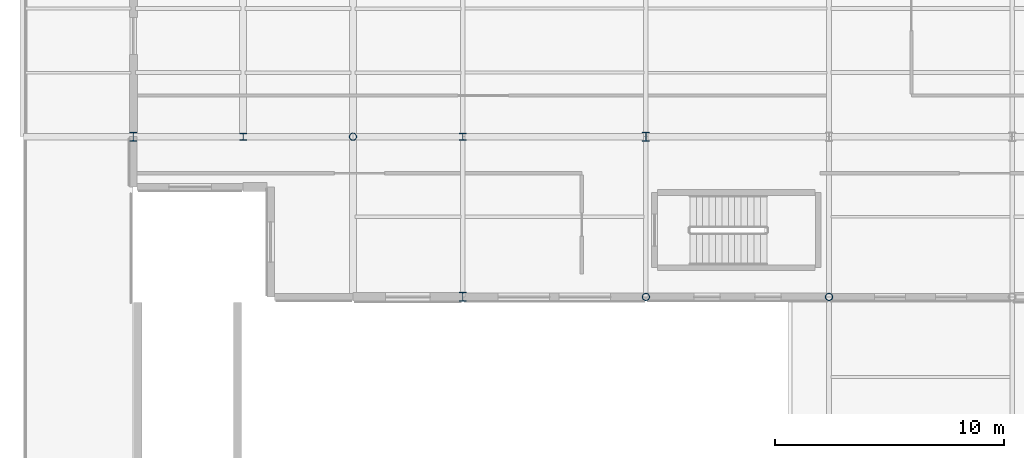
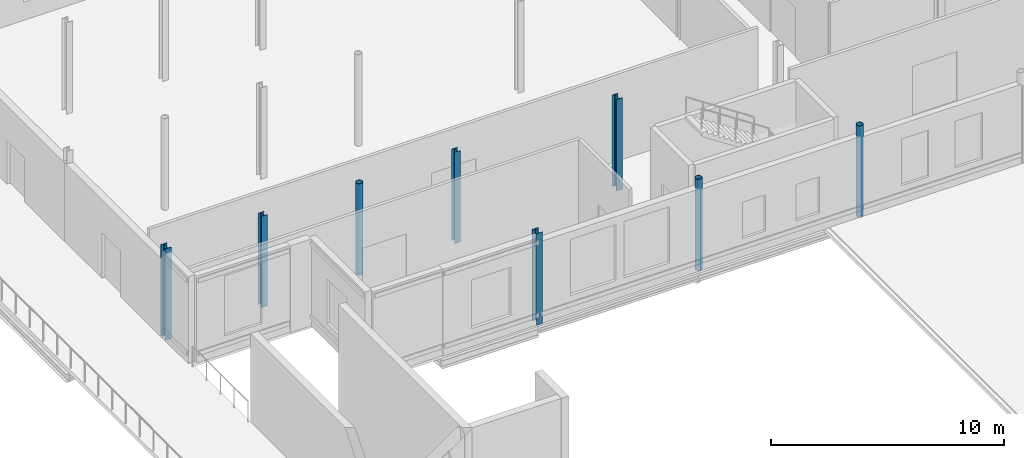
# One storey, part 1 of 120: 8 columns.
"""IFC4 building model written with IfcOpenShell, lengths in metres."""

from ifc_helpers import new_model, si_unit, direction, frame, origin, origin_2d, place, context, subcontext, project, spatial, hollow_circle, i_section, extrude, material, material_profile, profile_set, type_object, element, save


model = new_model("IFC4")

# Units and contexts
model_context = context("Model", 3, precision=1e-05, world=origin(), true_north=direction((0.0, 1.0)))
body_context = subcontext(model_context, "Body", "Model", "MODEL_VIEW")
ifc_project = project(units=[si_unit("LENGTHUNIT", "METRE"), si_unit("AREAUNIT", "SQUARE_METRE"), si_unit("VOLUMEUNIT", "CUBIC_METRE"), si_unit("PLANEANGLEUNIT", "RADIAN"), si_unit("MASSUNIT", "GRAM", prefix="KILO")], contexts=[model_context])

# Site, building, storey
site_placement = place(None, origin())
site = spatial("IfcSite", under=ifc_project, at=site_placement, CompositionType="ELEMENT")
building_placement = place(site_placement, origin())
building = spatial("IfcBuilding", under=site, at=building_placement, Name="Vekula Escarpment Museum", CompositionType="ELEMENT")
storey_placement = place(building_placement, frame((0.0, 0.0, 13.199951171875)))
storey = spatial("IfcBuildingStorey", under=building, at=storey_placement, Name="L03", CompositionType="ELEMENT", Elevation=13.199951171875)

# Columns
ifc_material_1 = material(Name="Steel S355", Category="steel")
ifc_material_profile_1 = material_profile(ifc_material_1, hollow_circle(Radius=0.161865234375, WallThickness=0.01611328125, at=origin_2d()), Name="CHS 323.9x16")
ifc_profile_set_1 = profile_set([ifc_material_profile_1], Name="Steel S355")
column_type_1 = type_object("IfcColumnType", Name="COL-S-CHS323", PredefinedType="COLUMN", material=ifc_profile_set_1)
for number, where, z_axis, x_axis, name in (
    (1, (19.199951171875, 59.60009765625, 0.0), (0.0, 0.0, 1.0), (1.0, 0.0, 0.0), "Column L03 (19.2,59.6)"),
    (2, (32.0, 52.60009765625, 0.0), (0.0, 0.0, 1.0), (1.0, 0.0, 0.0), "Column L03 (32.0,52.6)"),
    (3, (40.0, 52.60009765625, 0.0), (0.0, 0.0, 1.0), (1.0, 0.0, 0.0), "Column L03 (40.0,52.6)"),
):
    element("IfcColumn", number, at=place(storey_placement, frame(where, z_axis=z_axis, x_axis=x_axis)), inside=storey, type_object=column_type_1, Name=name, PredefinedType="COLUMN", context=body_context, shape_type="SweptSolid", body=[
        extrude(hollow_circle(Radius=0.161865234375, WallThickness=0.01611328125, at=origin_2d()), origin(), (0.0, 0.0, 1.0), 4.800048828125),
    ])
ifc_material_2 = material(Name="Steel S355", Category="steel")
ifc_material_profile_2 = material_profile(ifc_material_2, i_section(OverallWidth=0.300048828125, OverallDepth=0.2900390625, WebThickness=0.008544921875, FlangeThickness=0.013916015625, FilletRadius=0.027099609375, at=origin_2d()), Name="HEA 300")
ifc_profile_set_2 = profile_set([ifc_material_profile_2], Name="Steel S355")
column_type_2 = type_object("IfcColumnType", Name="COL-S-HEA300", PredefinedType="COLUMN", material=ifc_profile_set_2)
for number, where, z_axis, x_axis, name in (
    (4, (14.39990234375, 59.60009765625, 0.0), (0.0, 0.0, 1.0), (1.0, 0.0, 0.0), "Column L03 (14.4,59.6)"),
    (5, (24.0, 59.60009765625, 0.0), (0.0, 0.0, 1.0), (1.0, 0.0, 0.0), "Column L03 (24.0,59.6)"),
):
    element("IfcColumn", number, at=place(storey_placement, frame(where, z_axis=z_axis, x_axis=x_axis)), inside=storey, type_object=column_type_2, Name=name, PredefinedType="COLUMN", context=body_context, shape_type="SweptSolid", body=[
        extrude(i_section(OverallWidth=0.300048828125, OverallDepth=0.2900390625, WebThickness=0.008544921875, FlangeThickness=0.013916015625, FilletRadius=0.027099609375, at=origin_2d()), origin(), (0.0, 0.0, 1.0), 4.800048828125),
    ])
ifc_material_3 = material(Name="Steel S355", Category="steel")
ifc_material_profile_3 = material_profile(ifc_material_3, i_section(OverallWidth=0.300048828125, OverallDepth=0.39990234375, WebThickness=0.013427734375, FlangeThickness=0.02392578125, FilletRadius=0.027099609375, at=origin_2d()), Name="HEB 400")
ifc_profile_set_3 = profile_set([ifc_material_profile_3], Name="Steel S355")
column_type_3 = type_object("IfcColumnType", Name="COL-S-HEB400", PredefinedType="COLUMN", material=ifc_profile_set_3)
for number, where, z_axis, x_axis, name in (
    (6, (9.60009765625, 59.60009765625, 0.0), (0.0, 0.0, 1.0), (1.0, 0.0, 0.0), "Column L03 (9.6,59.6)"),
    (7, (24.0, 52.60009765625, 0.0), (0.0, 0.0, 1.0), (1.0, 0.0, 0.0), "Column L03 (24.0,52.6)"),
    (8, (32.0, 59.60009765625, 0.0), (0.0, 0.0, 1.0), (1.0, 0.0, 0.0), "Column L03 (32.0,59.6)"),
):
    element("IfcColumn", number, at=place(storey_placement, frame(where, z_axis=z_axis, x_axis=x_axis)), inside=storey, type_object=column_type_3, Name=name, PredefinedType="COLUMN", context=body_context, shape_type="SweptSolid", body=[
        extrude(i_section(OverallWidth=0.300048828125, OverallDepth=0.39990234375, WebThickness=0.013427734375, FlangeThickness=0.02392578125, FilletRadius=0.027099609375, at=origin_2d()), origin(), (0.0, 0.0, 1.0), 4.800048828125),
    ])

save(model, "model.ifc")
